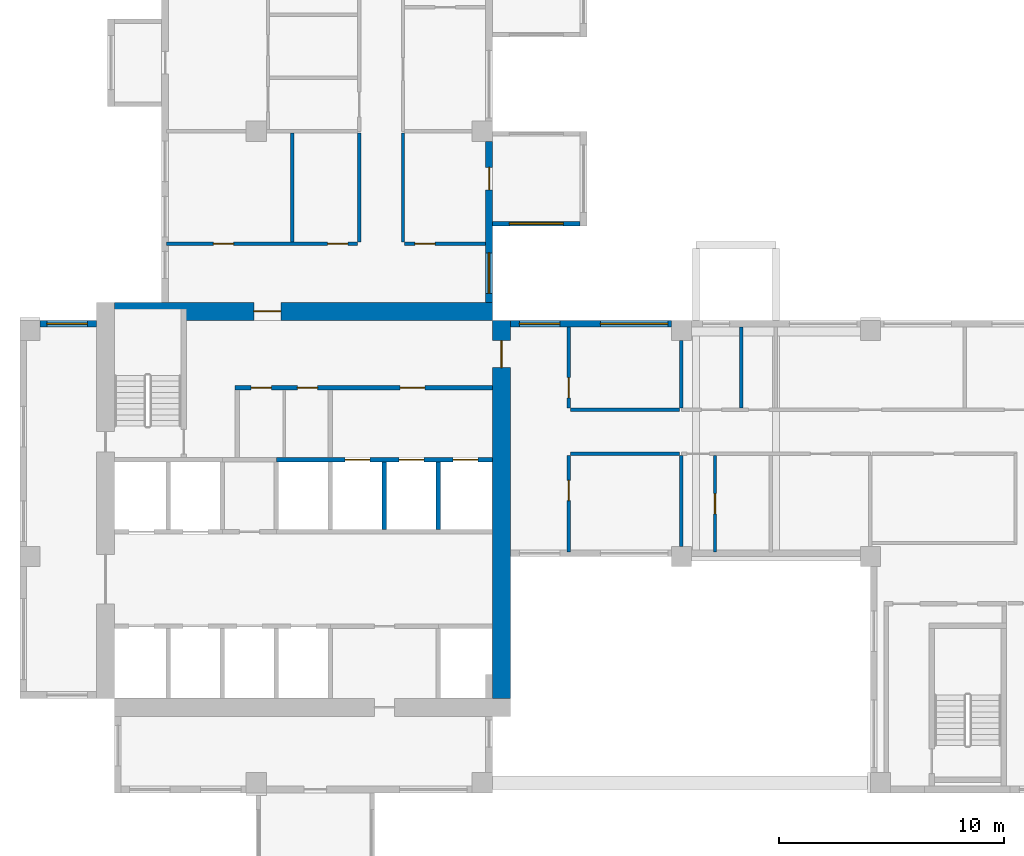
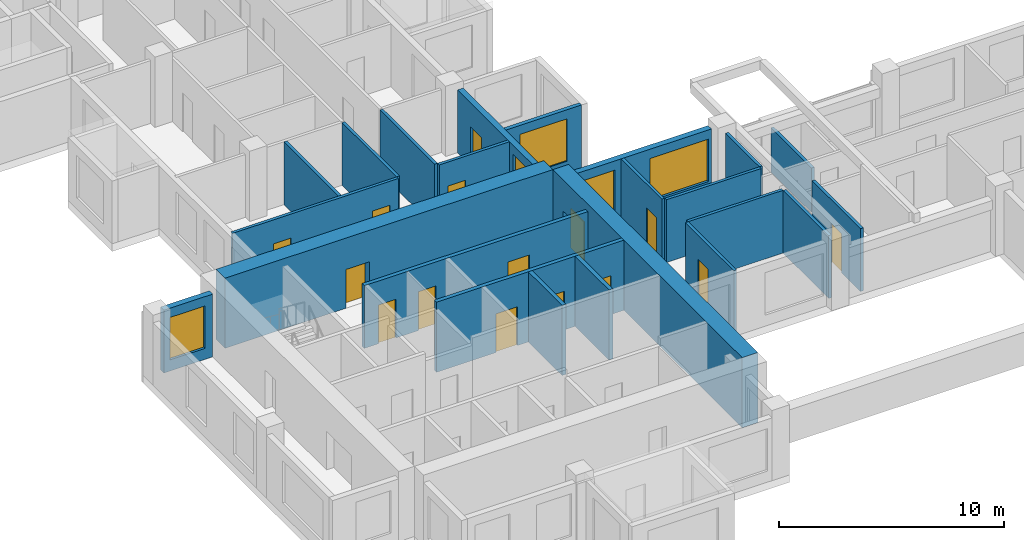
# One storey, part 3 of 11: 23 walls, 15 doors, 5 windows, 20 openings.
"""IFC4 building model written with IfcOpenShell, lengths in metres."""

from ifc_helpers import new_model, si_unit, direction, frame, frame_2d, origin, place, context, subcontext, project, spatial, rectangle, extrude, source, transform, mapped, material, layer, layer_set, type_object, element, fill, save


model = new_model("IFC4")

# Units and contexts
model_context = context("Model", 3, precision=1e-05, world=origin(), true_north=direction((0.0, 1.0)))
body_context = subcontext(model_context, "Body", "Model", "MODEL_VIEW")
ifc_project = project(units=[si_unit("LENGTHUNIT", "METRE"), si_unit("AREAUNIT", "SQUARE_METRE"), si_unit("VOLUMEUNIT", "CUBIC_METRE"), si_unit("PLANEANGLEUNIT", "RADIAN"), si_unit("MASSUNIT", "GRAM", prefix="KILO")], contexts=[model_context])

# Site, building, storey
site_placement = place(None, origin())
site = spatial("IfcSite", under=ifc_project, at=site_placement, CompositionType="ELEMENT")
building_placement = place(site_placement, origin())
building = spatial("IfcBuilding", under=site, at=building_placement, Name="Aurelian Terraces", CompositionType="ELEMENT")
storey_placement = place(building_placement, frame((0.0, 0.0, 212.0)))
storey = spatial("IfcBuildingStorey", under=building, at=storey_placement, Name="L47", CompositionType="ELEMENT", Elevation=212.0)

# Wall, opening, door
ifc_material_1 = material(Name="Concrete fc' 70 MPa", Category="concrete")
ifc_layer_1 = layer(ifc_material_1, 0.8)
ifc_layer_set_1 = layer_set([ifc_layer_1], Name="CORE WALL 800 FC70")
wall_type_1 = type_object("IfcWallType", Name="CORE WALL 800 FC70", PredefinedType="SHEAR", material=ifc_layer_set_1)
shared_shape_1 = source(origin(), body_context, "Body", "SweptSolid", [
    extrude(rectangle(XDim=16.8, YDim=0.8, at=frame_2d((8.4, 0.0))), origin(), (0.0, 0.0, 1.0), 3.8),
])
wall_1_placement = place(storey_placement, frame((21.4, 4.2, 0.0), z_axis=(0.0, 0.0, 1.0), x_axis=(0.0, 1.0, 0.0)))
wall_1 = element("IfcWall", 1, at=wall_1_placement, inside=storey, type_object=wall_type_1, Name="Core wall E L47", PredefinedType="SHEAR", context=body_context, shape_type="MappedRepresentation", body=[
    mapped(shared_shape_1, transform((0.0, 0.0, 0.0), scale=1.0)),
])
shared_shape_2 = source(origin(), body_context, "Body", "SweptSolid", [
    extrude(rectangle(XDim=1.2, YDim=2.1, at=frame_2d((0.6, 1.05))), frame((0.0, 0.41, 0.0), z_axis=(0.0, -1.0, 0.0), x_axis=(1.0, 0.0, 0.0)), (0.0, 0.0, 1.0), 0.82),
])
opening_1_placement = place(wall_1_placement, frame((14.7, 0.0, 0.0)))
opening_1 = element("IfcOpeningElement", 2, at=opening_1_placement, cuts=wall_1, Name="Opening 65023", PredefinedType="OPENING", context=body_context, shape_type="MappedRepresentation", body=[
    mapped(shared_shape_2, transform((0.0, 0.0, 0.0), scale=1.0)),
])
ifc_material_2 = material(Name="Steel door leaf", Category="steel")
door_type_1 = type_object("IfcDoorType", Name="Core fire door 1200x2100", OperationType="SINGLE_SWING_LEFT", PredefinedType="DOOR", material=ifc_material_2)
shared_shape_3 = source(origin(), body_context, "Body", "SweptSolid", [
    extrude(rectangle(XDim=1.2, YDim=2.1, at=frame_2d((0.6, 1.05))), frame((0.0, 0.025, 0.0), z_axis=(0.0, -1.0, 0.0), x_axis=(1.0, 0.0, 0.0)), (0.0, 0.0, 1.0), 0.05),
])
door_1_placement = place(opening_1_placement, origin())
door_1 = element("IfcDoor", 3, at=door_1_placement, inside=storey, type_object=door_type_1, Name="Core door 65023", OperationType="SINGLE_SWING_LEFT", OverallHeight=2.1, OverallWidth=1.2, PredefinedType="DOOR", context=body_context, shape_type="MappedRepresentation", body=[
    mapped(shared_shape_3, transform((0.0, 0.0, 0.0), scale=1.0)),
])
fill(opening_1, door_1)

wall_2_placement = place(storey_placement, frame((4.2, 21.4, 0.0), z_axis=(0.0, 0.0, 1.0), x_axis=(1.0, 0.0, 0.0)))
wall_2 = element("IfcWall", 4, at=wall_2_placement, inside=storey, type_object=wall_type_1, Name="Core wall N L47", PredefinedType="SHEAR", context=body_context, shape_type="MappedRepresentation", body=[
    mapped(shared_shape_1, transform((0.0, 0.0, 0.0), scale=1.0)),
])
opening_2_placement = place(wall_2_placement, frame((6.2, 0.0, 0.0)))
opening_2 = element("IfcOpeningElement", 5, at=opening_2_placement, cuts=wall_2, Name="Opening 65022", PredefinedType="OPENING", context=body_context, shape_type="MappedRepresentation", body=[
    mapped(shared_shape_2, transform((0.0, 0.0, 0.0), scale=1.0)),
])
door_type_2 = type_object("IfcDoorType", Name="Core fire door 1200x2100 right", OperationType="SINGLE_SWING_RIGHT", PredefinedType="DOOR", material=ifc_material_2)
door_2_placement = place(opening_2_placement, origin())
door_2 = element("IfcDoor", 6, at=door_2_placement, inside=storey, type_object=door_type_2, Name="Core door 65022", OperationType="SINGLE_SWING_RIGHT", OverallHeight=2.1, OverallWidth=1.2, PredefinedType="DOOR", context=body_context, shape_type="MappedRepresentation", body=[
    mapped(shared_shape_3, transform((0.0, 0.0, 0.0), scale=1.0)),
])
fill(opening_2, door_2)

# Wall, openings, windows
ifc_material_3 = material(Name="Terracotta rainscreen cladding", Category="masonry")
ifc_layer_2 = layer(ifc_material_3, 0.3)
ifc_layer_set_2 = layer_set([ifc_layer_2], Name="EW-300")
wall_type_2 = type_object("IfcWallType", Name="EW-300", PredefinedType="STANDARD", material=ifc_layer_set_2)
shared_shape_4 = source(origin(), body_context, "Body", "SweptSolid", [
    extrude(rectangle(XDim=7.15, YDim=0.3, at=frame_2d((3.575, 0.0))), origin(), (0.0, 0.0, 1.0), 3.4),
])
wall_3_placement = place(storey_placement, frame((28.95, 20.85, 0.0), z_axis=(0.0, 0.0, 1.0), x_axis=(-1.0, 0.0, 0.0)))
wall_3 = element("IfcWall", 7, at=wall_3_placement, inside=storey, type_object=wall_type_2, Name="External wall L47 F11.20", PredefinedType="STANDARD", context=body_context, shape_type="MappedRepresentation", body=[
    mapped(shared_shape_4, transform((0.0, 0.0, 0.0), scale=1.0)),
])
shared_shape_5 = source(origin(), body_context, "Body", "SweptSolid", [
    extrude(rectangle(XDim=3.0, YDim=2.3, at=frame_2d((1.5, 1.15))), frame((0.0, 0.16, 0.0), z_axis=(0.0, -1.0, 0.0), x_axis=(1.0, 0.0, 0.0)), (0.0, 0.0, 1.0), 0.32),
])
opening_3_placement = place(wall_3_placement, frame((0.15, 0.0, 0.6)))
opening_3 = element("IfcOpeningElement", 8, at=opening_3_placement, cuts=wall_3, Name="Opening W3023", PredefinedType="OPENING", context=body_context, shape_type="MappedRepresentation", body=[
    mapped(shared_shape_5, transform((0.0, 0.0, 0.0), scale=1.0)),
])
shared_shape_6 = source(origin(), body_context, "Body", "SweptSolid", [
    extrude(rectangle(XDim=1.8, YDim=2.3, at=frame_2d((0.9, 1.15))), frame((0.0, 0.16, 0.0), z_axis=(0.0, -1.0, 0.0), x_axis=(1.0, 0.0, 0.0)), (0.0, 0.0, 1.0), 0.32),
])
opening_4_placement = place(wall_3_placement, frame((4.95, 0.0, 0.6)))
opening_4 = element("IfcOpeningElement", 9, at=opening_4_placement, cuts=wall_3, Name="Opening W1823", PredefinedType="OPENING", context=body_context, shape_type="MappedRepresentation", body=[
    mapped(shared_shape_6, transform((0.0, 0.0, 0.0), scale=1.0)),
])
ifc_material_4 = material(Name="Clear glazing", Category="glass")
window_type_1 = type_object("IfcWindowType", Name="W-3000x2300", PartitioningType="SINGLE_PANEL", PredefinedType="WINDOW", material=ifc_material_4)
shared_shape_7 = source(origin(), body_context, "Body", "SweptSolid", [
    extrude(rectangle(XDim=3.0, YDim=2.3, at=frame_2d((1.5, 1.15))), frame((0.0, 0.03, 0.0), z_axis=(0.0, -1.0, 0.0), x_axis=(1.0, 0.0, 0.0)), (0.0, 0.0, 1.0), 0.06),
])
window_1_placement = place(opening_3_placement, origin())
window_1 = element("IfcWindow", 10, at=window_1_placement, inside=storey, type_object=window_type_1, Name="Window L47 L47-F11-20-0", OverallHeight=2.3, OverallWidth=3.0, PartitioningType="SINGLE_PANEL", PredefinedType="WINDOW", context=body_context, shape_type="MappedRepresentation", body=[
    mapped(shared_shape_7, transform((0.0, 0.0, 0.0), scale=1.0)),
])
fill(opening_3, window_1)
window_type_2 = type_object("IfcWindowType", Name="W-1800x2300", PartitioningType="SINGLE_PANEL", PredefinedType="WINDOW", material=ifc_material_4)
shared_shape_8 = source(origin(), body_context, "Body", "SweptSolid", [
    extrude(rectangle(XDim=1.8, YDim=2.3, at=frame_2d((0.9, 1.15))), frame((0.0, 0.03, 0.0), z_axis=(0.0, -1.0, 0.0), x_axis=(1.0, 0.0, 0.0)), (0.0, 0.0, 1.0), 0.06),
])
window_2_placement = place(opening_4_placement, origin())
window_2 = element("IfcWindow", 11, at=window_2_placement, inside=storey, type_object=window_type_2, Name="Window L47 L47-F11-20-1", OverallHeight=2.3, OverallWidth=1.8, PartitioningType="SINGLE_PANEL", PredefinedType="WINDOW", context=body_context, shape_type="MappedRepresentation", body=[
    mapped(shared_shape_8, transform((0.0, 0.0, 0.0), scale=1.0)),
])
fill(opening_4, window_2)

# Wall, openings, window, door
wall_4_placement = place(storey_placement, frame((20.85, 21.8, 0.0), z_axis=(0.0, 0.0, 1.0), x_axis=(0.0, 1.0, 0.0)))
wall_4 = element("IfcWall", 12, at=wall_4_placement, inside=storey, type_object=wall_type_2, Name="External wall L47 F12.21", PredefinedType="STANDARD", context=body_context, shape_type="MappedRepresentation", body=[
    mapped(shared_shape_4, transform((0.0, 0.0, 0.0), scale=1.0)),
])
opening_5_placement = place(wall_4_placement, frame((0.4, 0.0, 0.6)))
opening_5 = element("IfcOpeningElement", 13, at=opening_5_placement, cuts=wall_4, Name="Opening W1823", PredefinedType="OPENING", context=body_context, shape_type="MappedRepresentation", body=[
    mapped(shared_shape_6, transform((0.0, 0.0, 0.0), scale=1.0)),
])
shared_shape_9 = source(origin(), body_context, "Body", "SweptSolid", [
    extrude(rectangle(XDim=1.0, YDim=2.1, at=frame_2d((0.5, 1.05))), frame((0.0, 0.16, 0.0), z_axis=(0.0, -1.0, 0.0), x_axis=(1.0, 0.0, 0.0)), (0.0, 0.0, 1.0), 0.32),
])
opening_6_placement = place(wall_4_placement, frame((5.0, 0.0, 0.0)))
opening_6 = element("IfcOpeningElement", 14, at=opening_6_placement, cuts=wall_4, Name="Opening 847005", PredefinedType="OPENING", context=body_context, shape_type="MappedRepresentation", body=[
    mapped(shared_shape_9, transform((0.0, 0.0, 0.0), scale=1.0)),
])
window_3_placement = place(opening_5_placement, origin())
window_3 = element("IfcWindow", 15, at=window_3_placement, inside=storey, type_object=window_type_2, Name="Window L47 L47-F12-21-0", OverallHeight=2.3, OverallWidth=1.8, PartitioningType="SINGLE_PANEL", PredefinedType="WINDOW", context=body_context, shape_type="MappedRepresentation", body=[
    mapped(shared_shape_8, transform((0.0, 0.0, 0.0), scale=1.0)),
])
fill(opening_5, window_3)
ifc_material_5 = material(Name="Timber door leaf", Category="wood")
door_type_3 = type_object("IfcDoorType", Name="Room door 1000x2100 left", OperationType="SINGLE_SWING_LEFT", PredefinedType="DOOR", material=ifc_material_5)
shared_shape_10 = source(origin(), body_context, "Body", "SweptSolid", [
    extrude(rectangle(XDim=1.0, YDim=2.1, at=frame_2d((0.5, 1.05))), frame((0.0, 0.025, 0.0), z_axis=(0.0, -1.0, 0.0), x_axis=(1.0, 0.0, 0.0)), (0.0, 0.0, 1.0), 0.05),
])
door_3_placement = place(opening_6_placement, origin())
door_3 = element("IfcDoor", 16, at=door_3_placement, inside=storey, type_object=door_type_3, Name="Door 847005", OperationType="SINGLE_SWING_LEFT", OverallHeight=2.1, OverallWidth=1.0, PredefinedType="DOOR", context=body_context, shape_type="MappedRepresentation", body=[
    mapped(shared_shape_10, transform((0.0, 0.0, 0.0), scale=1.0)),
])
fill(opening_6, door_3)

# Wall, opening, window
ifc_material_6 = material(Name="Concrete fc' 40 MPa", Category="concrete")
ifc_layer_3 = layer(ifc_material_6, 0.2)
ifc_layer_set_3 = layer_set([ifc_layer_3], Name="BOX BEARING WALL 200")
wall_type_3 = type_object("IfcWallType", Name="BOX BEARING WALL 200", PredefinedType="SOLIDWALL", material=ifc_layer_set_3)
shared_shape_11 = source(origin(), body_context, "Body", "SweptSolid", [
    extrude(rectangle(XDim=3.9, YDim=0.2, at=frame_2d((1.95, 0.0))), origin(), (0.0, 0.0, 1.0), 3.39),
])
wall_5_placement = place(storey_placement, frame((21.0, 25.3, 0.0), z_axis=(0.0, 0.0, 1.0), x_axis=(1.0, 0.0, 0.0)))
wall_5 = element("IfcWall", 17, at=wall_5_placement, inside=storey, type_object=wall_type_3, Name="Box return L47 J68.1", PredefinedType="SOLIDWALL", context=body_context, shape_type="MappedRepresentation", body=[
    mapped(shared_shape_11, transform((0.0, 0.0, 0.0), scale=1.0)),
])
shared_shape_12 = source(origin(), body_context, "Body", "SweptSolid", [
    extrude(rectangle(XDim=2.4, YDim=2.3, at=frame_2d((1.2, 1.15))), frame((0.0, 0.11, 0.0), z_axis=(0.0, -1.0, 0.0), x_axis=(1.0, 0.0, 0.0)), (0.0, 0.0, 1.0), 0.22),
])
opening_7_placement = place(wall_5_placement, frame((0.75, 0.0, 0.6)))
opening_7 = element("IfcOpeningElement", 18, at=opening_7_placement, cuts=wall_5, Name="Opening W2423", PredefinedType="OPENING", context=body_context, shape_type="MappedRepresentation", body=[
    mapped(shared_shape_12, transform((0.0, 0.0, 0.0), scale=1.0)),
])
window_type_3 = type_object("IfcWindowType", Name="W-2400x2300", PartitioningType="SINGLE_PANEL", PredefinedType="WINDOW", material=ifc_material_4)
shared_shape_13 = source(origin(), body_context, "Body", "SweptSolid", [
    extrude(rectangle(XDim=2.4, YDim=2.3, at=frame_2d((1.2, 1.15))), frame((0.0, 0.03, 0.0), z_axis=(0.0, -1.0, 0.0), x_axis=(1.0, 0.0, 0.0)), (0.0, 0.0, 1.0), 0.06),
])
window_4_placement = place(opening_7_placement, origin())
window_4 = element("IfcWindow", 19, at=window_4_placement, inside=storey, type_object=window_type_3, Name="Window L47 J68-S1", OverallHeight=2.3, OverallWidth=2.4, PartitioningType="SINGLE_PANEL", PredefinedType="WINDOW", context=body_context, shape_type="MappedRepresentation", body=[
    mapped(shared_shape_13, transform((0.0, 0.0, 0.0), scale=1.0)),
])
fill(opening_7, window_4)

shared_shape_14 = source(origin(), body_context, "Body", "SweptSolid", [
    extrude(rectangle(XDim=2.5, YDim=0.3, at=frame_2d((1.25, 0.0))), origin(), (0.0, 0.0, 1.0), 3.4),
])
wall_6_placement = place(storey_placement, frame((3.4, 20.85, 0.0), z_axis=(0.0, 0.0, 1.0), x_axis=(-1.0, 0.0, 0.0)))
wall_6 = element("IfcWall", 20, at=wall_6_placement, inside=storey, type_object=wall_type_2, Name="External wall L47 F23.36", PredefinedType="STANDARD", context=body_context, shape_type="MappedRepresentation", body=[
    mapped(shared_shape_14, transform((0.0, 0.0, 0.0), scale=1.0)),
])
opening_8_placement = place(wall_6_placement, frame((0.4, 0.0, 0.6)))
opening_8 = element("IfcOpeningElement", 21, at=opening_8_placement, cuts=wall_6, Name="Opening W1823", PredefinedType="OPENING", context=body_context, shape_type="MappedRepresentation", body=[
    mapped(shared_shape_6, transform((0.0, 0.0, 0.0), scale=1.0)),
])
window_5_placement = place(opening_8_placement, origin())
window_5 = element("IfcWindow", 22, at=window_5_placement, inside=storey, type_object=window_type_2, Name="Window L47 L47-F23-36-0", OverallHeight=2.3, OverallWidth=1.8, PartitioningType="SINGLE_PANEL", PredefinedType="WINDOW", context=body_context, shape_type="MappedRepresentation", body=[
    mapped(shared_shape_8, transform((0.0, 0.0, 0.0), scale=1.0)),
])
fill(opening_8, window_5)

# Walls
ifc_layer_4 = layer(ifc_material_6, 0.2)
ifc_layer_set_4 = layer_set([ifc_layer_4], Name="Lift shaft wall 200")
wall_type_4 = type_object("IfcWallType", Name="Lift shaft wall 200", PredefinedType="SOLIDWALL", material=ifc_layer_set_4)
shared_shape_15 = source(origin(), body_context, "Body", "SweptSolid", [
    extrude(rectangle(XDim=3.0, YDim=0.2, at=frame_2d((1.5, 0.0))), origin(), (0.0, 0.0, 1.0), 3.8),
])
for number, where, z_axis, x_axis, name in (
    (23, (16.2, 11.7, 0.0), (0.0, 0.0, 1.0), (0.0, 1.0, 0.0), "L47 core wall CD-B5"),
    (24, (18.6, 11.7, 0.0), (0.0, 0.0, 1.0), (0.0, 1.0, 0.0), "L47 core wall CD-B6"),
):
    element("IfcWall", number, at=place(storey_placement, frame(where, z_axis=z_axis, x_axis=x_axis)), inside=storey, type_object=wall_type_4, Name=name, PredefinedType="SOLIDWALL", context=body_context, shape_type="MappedRepresentation", body=[
        mapped(shared_shape_15, transform((0.0, 0.0, 0.0), scale=1.0)),
    ])

# Wall, openings, doors
shared_shape_16 = source(origin(), body_context, "Body", "SweptSolid", [
    extrude(rectangle(XDim=9.6, YDim=0.2, at=frame_2d((4.8, 0.0))), origin(), (0.0, 0.0, 1.0), 3.8),
])
wall_7_placement = place(storey_placement, frame((11.4, 14.8, 0.0), z_axis=(0.0, 0.0, 1.0), x_axis=(1.0, 0.0, 0.0)))
wall_7 = element("IfcWall", 25, at=wall_7_placement, inside=storey, type_object=wall_type_4, Name="L47 core wall CF-BB3", PredefinedType="SOLIDWALL", context=body_context, shape_type="MappedRepresentation", body=[
    mapped(shared_shape_16, transform((0.0, 0.0, 0.0), scale=1.0)),
])
shared_shape_17 = source(origin(), body_context, "Body", "SweptSolid", [
    extrude(rectangle(XDim=1.1, YDim=2.1, at=frame_2d((0.55, 1.05))), frame((0.0, 0.11, 0.0), z_axis=(0.0, -1.0, 0.0), x_axis=(1.0, 0.0, 0.0)), (0.0, 0.0, 1.0), 0.22),
])
opening_9_placement = place(wall_7_placement, frame((3.05, 0.0, 0.0)))
opening_9 = element("IfcOpeningElement", 26, at=opening_9_placement, cuts=wall_7, Name="Opening 65008", PredefinedType="OPENING", context=body_context, shape_type="MappedRepresentation", body=[
    mapped(shared_shape_17, transform((0.0, 0.0, 0.0), scale=1.0)),
])
opening_10_placement = place(wall_7_placement, frame((5.45, 0.0, 0.0)))
opening_10 = element("IfcOpeningElement", 27, at=opening_10_placement, cuts=wall_7, Name="Opening 65009", PredefinedType="OPENING", context=body_context, shape_type="MappedRepresentation", body=[
    mapped(shared_shape_17, transform((0.0, 0.0, 0.0), scale=1.0)),
])
opening_11_placement = place(wall_7_placement, frame((7.85, 0.0, 0.0)))
opening_11 = element("IfcOpeningElement", 28, at=opening_11_placement, cuts=wall_7, Name="Opening 65010", PredefinedType="OPENING", context=body_context, shape_type="MappedRepresentation", body=[
    mapped(shared_shape_17, transform((0.0, 0.0, 0.0), scale=1.0)),
])
ifc_material_7 = material(Name="Stainless steel", Category="steel")
door_type_4 = type_object("IfcDoorType", Name="Lift landing door 1100x2100", OperationType="SLIDING_TO_LEFT", PredefinedType="DOOR", material=ifc_material_7)
shared_shape_18 = source(origin(), body_context, "Body", "SweptSolid", [
    extrude(rectangle(XDim=1.1, YDim=2.1, at=frame_2d((0.55, 1.05))), frame((0.0, 0.025, 0.0), z_axis=(0.0, -1.0, 0.0), x_axis=(1.0, 0.0, 0.0)), (0.0, 0.0, 1.0), 0.05),
])
door_4_placement = place(opening_9_placement, origin())
door_4 = element("IfcDoor", 29, at=door_4_placement, inside=storey, type_object=door_type_4, Name="Lift landing door F1 L47", OperationType="SLIDING_TO_LEFT", OverallHeight=2.1, OverallWidth=1.1, PredefinedType="DOOR", context=body_context, shape_type="MappedRepresentation", body=[
    mapped(shared_shape_18, transform((0.0, 0.0, 0.0), scale=1.0)),
])
fill(opening_9, door_4)
door_5_placement = place(opening_10_placement, origin())
door_5 = element("IfcDoor", 30, at=door_5_placement, inside=storey, type_object=door_type_4, Name="Lift landing door F2 L47", OperationType="SLIDING_TO_LEFT", OverallHeight=2.1, OverallWidth=1.1, PredefinedType="DOOR", context=body_context, shape_type="MappedRepresentation", body=[
    mapped(shared_shape_18, transform((0.0, 0.0, 0.0), scale=1.0)),
])
fill(opening_10, door_5)
door_6_placement = place(opening_11_placement, origin())
door_6 = element("IfcDoor", 31, at=door_6_placement, inside=storey, type_object=door_type_4, Name="Lift landing door F3 L47", OperationType="SLIDING_TO_LEFT", OverallHeight=2.1, OverallWidth=1.1, PredefinedType="DOOR", context=body_context, shape_type="MappedRepresentation", body=[
    mapped(shared_shape_18, transform((0.0, 0.0, 0.0), scale=1.0)),
])
fill(opening_11, door_6)

ifc_material_8 = material(Name="Gypsum board on steel studs", Category="steel")
ifc_layer_5 = layer(ifc_material_8, 0.2)
ifc_layer_set_5 = layer_set([ifc_layer_5], Name="Core partition 200")
wall_type_5 = type_object("IfcWallType", Name="Core partition 200", PredefinedType="PARTITIONING", material=ifc_layer_set_5)
shared_shape_19 = source(origin(), body_context, "Body", "SweptSolid", [
    extrude(rectangle(XDim=11.45, YDim=0.2, at=frame_2d((5.725, 0.0))), origin(), (0.0, 0.0, 1.0), 3.4),
])
wall_8_placement = place(storey_placement, frame((9.55, 18.0, 0.0), z_axis=(0.0, 0.0, 1.0), x_axis=(1.0, 0.0, 0.0)))
wall_8 = element("IfcWall", 32, at=wall_8_placement, inside=storey, type_object=wall_type_5, Name="L47 core wall CP-NORTH", PredefinedType="PARTITIONING", context=body_context, shape_type="MappedRepresentation", body=[
    mapped(shared_shape_19, transform((0.0, 0.0, 0.0), scale=1.0)),
])
shared_shape_20 = source(origin(), body_context, "Body", "SweptSolid", [
    extrude(rectangle(XDim=0.9, YDim=2.1, at=frame_2d((0.45, 1.05))), frame((0.0, 0.11, 0.0), z_axis=(0.0, -1.0, 0.0), x_axis=(1.0, 0.0, 0.0)), (0.0, 0.0, 1.0), 0.22),
])
opening_12_placement = place(wall_8_placement, frame((0.725, 0.0, 0.0)))
opening_12 = element("IfcOpeningElement", 33, at=opening_12_placement, cuts=wall_8, Name="Opening 65012", PredefinedType="OPENING", context=body_context, shape_type="MappedRepresentation", body=[
    mapped(shared_shape_20, transform((0.0, 0.0, 0.0), scale=1.0)),
])
opening_13_placement = place(wall_8_placement, frame((2.775, 0.0, 0.0)))
opening_13 = element("IfcOpeningElement", 34, at=opening_13_placement, cuts=wall_8, Name="Opening 65013", PredefinedType="OPENING", context=body_context, shape_type="MappedRepresentation", body=[
    mapped(shared_shape_20, transform((0.0, 0.0, 0.0), scale=1.0)),
])
opening_14_placement = place(wall_8_placement, frame((7.35, 0.0, 0.0)))
opening_14 = element("IfcOpeningElement", 35, at=opening_14_placement, cuts=wall_8, Name="Opening 65014", PredefinedType="OPENING", context=body_context, shape_type="MappedRepresentation", body=[
    mapped(shared_shape_17, transform((0.0, 0.0, 0.0), scale=1.0)),
])
door_type_5 = type_object("IfcDoorType", Name="Core service door 900x2100", OperationType="SINGLE_SWING_LEFT", PredefinedType="DOOR", material=ifc_material_2)
shared_shape_21 = source(origin(), body_context, "Body", "SweptSolid", [
    extrude(rectangle(XDim=0.9, YDim=2.1, at=frame_2d((0.45, 1.05))), frame((0.0, 0.025, 0.0), z_axis=(0.0, -1.0, 0.0), x_axis=(1.0, 0.0, 0.0)), (0.0, 0.0, 1.0), 0.05),
])
door_7_placement = place(opening_12_placement, origin())
door_7 = element("IfcDoor", 36, at=door_7_placement, inside=storey, type_object=door_type_5, Name="Room door 65012", OperationType="SINGLE_SWING_LEFT", OverallHeight=2.1, OverallWidth=0.9, PredefinedType="DOOR", context=body_context, shape_type="MappedRepresentation", body=[
    mapped(shared_shape_21, transform((0.0, 0.0, 0.0), scale=1.0)),
])
fill(opening_12, door_7)
door_type_6 = type_object("IfcDoorType", Name="Core service door 900x2100 right", OperationType="SINGLE_SWING_RIGHT", PredefinedType="DOOR", material=ifc_material_2)
door_8_placement = place(opening_13_placement, origin())
door_8 = element("IfcDoor", 37, at=door_8_placement, inside=storey, type_object=door_type_6, Name="Room door 65013", OperationType="SINGLE_SWING_RIGHT", OverallHeight=2.1, OverallWidth=0.9, PredefinedType="DOOR", context=body_context, shape_type="MappedRepresentation", body=[
    mapped(shared_shape_21, transform((0.0, 0.0, 0.0), scale=1.0)),
])
fill(opening_13, door_8)
door_type_7 = type_object("IfcDoorType", Name="Core fire door 1100x2100", OperationType="SINGLE_SWING_LEFT", PredefinedType="DOOR", material=ifc_material_2)
door_9_placement = place(opening_14_placement, origin())
door_9 = element("IfcDoor", 38, at=door_9_placement, inside=storey, type_object=door_type_7, Name="Ff lobby door 65014", OperationType="SINGLE_SWING_LEFT", OverallHeight=2.1, OverallWidth=1.1, PredefinedType="DOOR", context=body_context, shape_type="MappedRepresentation", body=[
    mapped(shared_shape_18, transform((0.0, 0.0, 0.0), scale=1.0)),
])
fill(opening_14, door_9)

# Wall, opening, door
ifc_layer_6 = layer(ifc_material_8, 0.15)
ifc_layer_set_6 = layer_set([ifc_layer_6], Name="Partition 150")
wall_type_6 = type_object("IfcWallType", Name="Partition 150", PredefinedType="PARTITIONING", material=ifc_layer_set_6)
shared_shape_22 = source(origin(), body_context, "Body", "SweptSolid", [
    extrude(rectangle(XDim=3.6, YDim=0.15, at=frame_2d((1.8, 0.0))), origin(), (0.0, 0.0, 1.0), 3.4),
])
wall_9_placement = place(storey_placement, frame((24.4, 20.7, 0.0), z_axis=(0.0, 0.0, 1.0), x_axis=(0.0, -1.0, 0.0)))
wall_9 = element("IfcWall", 39, at=wall_9_placement, inside=storey, type_object=wall_type_6, Name="Partition", PredefinedType="PARTITIONING", context=body_context, shape_type="MappedRepresentation", body=[
    mapped(shared_shape_22, transform((0.0, 0.0, 0.0), scale=1.0)),
])
shared_shape_23 = source(origin(), body_context, "Body", "SweptSolid", [
    extrude(rectangle(XDim=0.9, YDim=2.1, at=frame_2d((0.45, 1.05))), frame((0.0, 0.085, 0.0), z_axis=(0.0, -1.0, 0.0), x_axis=(1.0, 0.0, 0.0)), (0.0, 0.0, 1.0), 0.17),
])
opening_15_placement = place(wall_9_placement, frame((2.25, 0.0, 0.0)))
opening_15 = element("IfcOpeningElement", 40, at=opening_15_placement, cuts=wall_9, Name="Opening 747002", PredefinedType="OPENING", context=body_context, shape_type="MappedRepresentation", body=[
    mapped(shared_shape_23, transform((0.0, 0.0, 0.0), scale=1.0)),
])
door_type_8 = type_object("IfcDoorType", Name="Room door 900x2100 right", OperationType="SINGLE_SWING_RIGHT", PredefinedType="DOOR", material=ifc_material_5)
door_10_placement = place(opening_15_placement, origin())
door_10 = element("IfcDoor", 41, at=door_10_placement, inside=storey, type_object=door_type_8, Name="Door 747002", OperationType="SINGLE_SWING_RIGHT", OverallHeight=2.1, OverallWidth=0.9, PredefinedType="DOOR", context=body_context, shape_type="MappedRepresentation", body=[
    mapped(shared_shape_21, transform((0.0, 0.0, 0.0), scale=1.0)),
])
fill(opening_15, door_10)

wall_10_placement = place(storey_placement, frame((17.1, 24.4, 0.0), z_axis=(0.0, 0.0, 1.0), x_axis=(1.0, 0.0, 0.0)))
wall_10 = element("IfcWall", 42, at=wall_10_placement, inside=storey, type_object=wall_type_6, Name="Partition", PredefinedType="PARTITIONING", context=body_context, shape_type="MappedRepresentation", body=[
    mapped(shared_shape_22, transform((0.0, 0.0, 0.0), scale=1.0)),
])
opening_16_placement = place(wall_10_placement, frame((0.45, 0.0, 0.0)))
opening_16 = element("IfcOpeningElement", 43, at=opening_16_placement, cuts=wall_10, Name="Opening 747018", PredefinedType="OPENING", context=body_context, shape_type="MappedRepresentation", body=[
    mapped(shared_shape_23, transform((0.0, 0.0, 0.0), scale=1.0)),
])
door_11_placement = place(opening_16_placement, origin())
door_11 = element("IfcDoor", 44, at=door_11_placement, inside=storey, type_object=door_type_8, Name="Door 747018", OperationType="SINGLE_SWING_RIGHT", OverallHeight=2.1, OverallWidth=0.9, PredefinedType="DOOR", context=body_context, shape_type="MappedRepresentation", body=[
    mapped(shared_shape_21, transform((0.0, 0.0, 0.0), scale=1.0)),
])
fill(opening_16, door_11)

# Walls
shared_shape_24 = source(origin(), body_context, "Body", "SweptSolid", [
    extrude(rectangle(XDim=4.051, YDim=0.15, at=frame_2d((2.0255, 0.0))), origin(), (0.0, 0.0, 1.0), 3.4),
])
wall_11_placement = place(storey_placement, frame((29.4, 10.949, 0.0), z_axis=(0.0, 0.0, 1.0), x_axis=(0.0, 1.0, 0.0)))
element("IfcWall", 45, at=wall_11_placement, inside=storey, type_object=wall_type_6, Name="Partition", PredefinedType="PARTITIONING", context=body_context, shape_type="MappedRepresentation", body=[
    mapped(shared_shape_24, transform((0.0, 0.0, 0.0), scale=1.0)),
])
shared_shape_25 = source(origin(), body_context, "Body", "SweptSolid", [
    extrude(rectangle(XDim=3.001, YDim=0.15, at=frame_2d((1.5005, 0.0))), origin(), (0.0, 0.0, 1.0), 3.4),
])
wall_12_placement = place(storey_placement, frame((29.4, 17.1, 0.0), z_axis=(0.0, 0.0, 1.0), x_axis=(0.0, 1.0, 0.0)))
element("IfcWall", 46, at=wall_12_placement, inside=storey, type_object=wall_type_6, Name="Partition", PredefinedType="PARTITIONING", context=body_context, shape_type="MappedRepresentation", body=[
    mapped(shared_shape_25, transform((0.0, 0.0, 0.0), scale=1.0)),
])

# Wall, openings, doors
shared_shape_26 = source(origin(), body_context, "Body", "SweptSolid", [
    extrude(rectangle(XDim=8.495, YDim=0.15, at=frame_2d((4.2475, 0.0))), origin(), (0.0, 0.0, 1.0), 3.4),
])
wall_13_placement = place(storey_placement, frame((6.505, 24.4, 0.0), z_axis=(0.0, 0.0, 1.0), x_axis=(1.0, 0.0, 0.0)))
wall_13 = element("IfcWall", 47, at=wall_13_placement, inside=storey, type_object=wall_type_6, Name="Partition", PredefinedType="PARTITIONING", context=body_context, shape_type="MappedRepresentation", body=[
    mapped(shared_shape_26, transform((0.0, 0.0, 0.0), scale=1.0)),
])
opening_17_placement = place(wall_13_placement, frame((2.095, 0.0, 0.0)))
opening_17 = element("IfcOpeningElement", 48, at=opening_17_placement, cuts=wall_13, Name="Opening 747016", PredefinedType="OPENING", context=body_context, shape_type="MappedRepresentation", body=[
    mapped(shared_shape_23, transform((0.0, 0.0, 0.0), scale=1.0)),
])
opening_18_placement = place(wall_13_placement, frame((7.17, 0.0, 0.0)))
opening_18 = element("IfcOpeningElement", 49, at=opening_18_placement, cuts=wall_13, Name="Opening 747017", PredefinedType="OPENING", context=body_context, shape_type="MappedRepresentation", body=[
    mapped(shared_shape_23, transform((0.0, 0.0, 0.0), scale=1.0)),
])
door_12_placement = place(opening_17_placement, origin())
door_12 = element("IfcDoor", 50, at=door_12_placement, inside=storey, type_object=door_type_8, Name="Door 747016", OperationType="SINGLE_SWING_RIGHT", OverallHeight=2.1, OverallWidth=0.9, PredefinedType="DOOR", context=body_context, shape_type="MappedRepresentation", body=[
    mapped(shared_shape_21, transform((0.0, 0.0, 0.0), scale=1.0)),
])
fill(opening_17, door_12)
door_type_9 = type_object("IfcDoorType", Name="Room door 900x2100 left", OperationType="SINGLE_SWING_LEFT", PredefinedType="DOOR", material=ifc_material_5)
door_13_placement = place(opening_18_placement, origin())
door_13 = element("IfcDoor", 51, at=door_13_placement, inside=storey, type_object=door_type_9, Name="Door 747017", OperationType="SINGLE_SWING_LEFT", OverallHeight=2.1, OverallWidth=0.9, PredefinedType="DOOR", context=body_context, shape_type="MappedRepresentation", body=[
    mapped(shared_shape_21, transform((0.0, 0.0, 0.0), scale=1.0)),
])
fill(opening_18, door_13)

# Wall, opening, door
shared_shape_27 = source(origin(), body_context, "Body", "SweptSolid", [
    extrude(rectangle(XDim=4.295, YDim=0.15, at=frame_2d((2.1475, 0.0))), origin(), (0.0, 0.0, 1.0), 3.4),
])
wall_14_placement = place(storey_placement, frame((24.4, 15.0, 0.0), z_axis=(0.0, 0.0, 1.0), x_axis=(0.0, -1.0, 0.0)))
wall_14 = element("IfcWall", 52, at=wall_14_placement, inside=storey, type_object=wall_type_6, Name="Partition", PredefinedType="PARTITIONING", context=body_context, shape_type="MappedRepresentation", body=[
    mapped(shared_shape_27, transform((0.0, 0.0, 0.0), scale=1.0)),
])
opening_19_placement = place(wall_14_placement, frame((1.1125, 0.0, 0.0)))
opening_19 = element("IfcOpeningElement", 53, at=opening_19_placement, cuts=wall_14, Name="Opening 747001", PredefinedType="OPENING", context=body_context, shape_type="MappedRepresentation", body=[
    mapped(shared_shape_23, transform((0.0, 0.0, 0.0), scale=1.0)),
])
door_14_placement = place(opening_19_placement, origin())
door_14 = element("IfcDoor", 54, at=door_14_placement, inside=storey, type_object=door_type_9, Name="Door 747001", OperationType="SINGLE_SWING_LEFT", OverallHeight=2.1, OverallWidth=0.9, PredefinedType="DOOR", context=body_context, shape_type="MappedRepresentation", body=[
    mapped(shared_shape_21, transform((0.0, 0.0, 0.0), scale=1.0)),
])
fill(opening_19, door_14)

wall_15_placement = place(storey_placement, frame((30.8901, 10.705, 0.0), z_axis=(0.0, 0.0, 1.0), x_axis=(0.0, 1.0, 0.0)))
wall_15 = element("IfcWall", 55, at=wall_15_placement, inside=storey, type_object=wall_type_6, Name="Partition", PredefinedType="PARTITIONING", context=body_context, shape_type="MappedRepresentation", body=[
    mapped(shared_shape_27, transform((0.0, 0.0, 0.0), scale=1.0)),
])
opening_20_placement = place(wall_15_placement, frame((1.6975, 0.0, 0.0)))
opening_20 = element("IfcOpeningElement", 56, at=opening_20_placement, cuts=wall_15, Name="Opening 747034", PredefinedType="OPENING", context=body_context, shape_type="MappedRepresentation", body=[
    mapped(shared_shape_23, transform((0.0, 0.0, 0.0), scale=1.0)),
])
door_15_placement = place(opening_20_placement, origin())
door_15 = element("IfcDoor", 57, at=door_15_placement, inside=storey, type_object=door_type_9, Name="Door 747034", OperationType="SINGLE_SWING_LEFT", OverallHeight=2.1, OverallWidth=0.9, PredefinedType="DOOR", context=body_context, shape_type="MappedRepresentation", body=[
    mapped(shared_shape_21, transform((0.0, 0.0, 0.0), scale=1.0)),
])
fill(opening_20, door_15)

# Walls
shared_shape_28 = source(origin(), body_context, "Body", "SweptSolid", [
    extrude(rectangle(XDim=3.6, YDim=0.15, at=frame_2d((1.8, 0.0))), origin(), (0.0, 0.0, 1.0), 2.4),
])
wall_16_placement = place(storey_placement, frame((32.067, 20.7, 0.0), z_axis=(0.0, 0.0, 1.0), x_axis=(0.0, -1.0, 0.0)))
element("IfcWall", 58, at=wall_16_placement, inside=storey, type_object=wall_type_6, Name="Partition", PredefinedType="PARTITIONING", context=body_context, shape_type="MappedRepresentation", body=[
    mapped(shared_shape_28, transform((0.0, 0.0, 0.0), scale=1.0)),
])
ifc_layer_7 = layer(ifc_material_8, 0.15)
ifc_layer_set_7 = layer_set([ifc_layer_7], Name="Fire partition 150")
wall_type_7 = type_object("IfcWallType", Name="Fire partition 150", PredefinedType="PARTITIONING", material=ifc_layer_set_7)
shared_shape_29 = source(origin(), body_context, "Body", "SweptSolid", [
    extrude(rectangle(XDim=4.85, YDim=0.15, at=frame_2d((2.425, 0.0))), origin(), (0.0, 0.0, 1.0), 3.4),
])
for number, where, z_axis, x_axis, name in (
    (59, (29.325, 15.075, 0.0), (0.0, 0.0, 1.0), (-1.0, 0.0, 0.0), "Corridor wall"),
    (60, (24.475, 17.025, 0.0), (0.0, 0.0, 1.0), (1.0, 0.0, 0.0), "Corridor wall"),
):
    element("IfcWall", number, at=place(storey_placement, frame(where, z_axis=z_axis, x_axis=x_axis)), inside=storey, type_object=wall_type_7, Name=name, PredefinedType="PARTITIONING", context=body_context, shape_type="MappedRepresentation", body=[
        mapped(shared_shape_29, transform((0.0, 0.0, 0.0), scale=1.0)),
    ])
wall_17_placement = place(storey_placement, frame((12.1, 24.475, 0.0), z_axis=(0.0, 0.0, 1.0), x_axis=(0.0, 1.0, 0.0)))
element("IfcWall", 61, at=wall_17_placement, inside=storey, type_object=wall_type_6, Name="Partition", PredefinedType="PARTITIONING", context=body_context, shape_type="MappedRepresentation", body=[
    mapped(shared_shape_29, transform((0.0, 0.0, 0.0), scale=1.0)),
])
for number, where, z_axis, x_axis, name in (
    (62, (15.075, 24.475, 0.0), (0.0, 0.0, 1.0), (0.0, 1.0, 0.0), "Corridor wall"),
    (63, (17.025, 29.325, 0.0), (0.0, 0.0, 1.0), (0.0, -1.0, 0.0), "Corridor wall"),
):
    element("IfcWall", number, at=place(storey_placement, frame(where, z_axis=z_axis, x_axis=x_axis)), inside=storey, type_object=wall_type_7, Name=name, PredefinedType="PARTITIONING", context=body_context, shape_type="MappedRepresentation", body=[
        mapped(shared_shape_29, transform((0.0, 0.0, 0.0), scale=1.0)),
    ])

save(model, "model.ifc")
